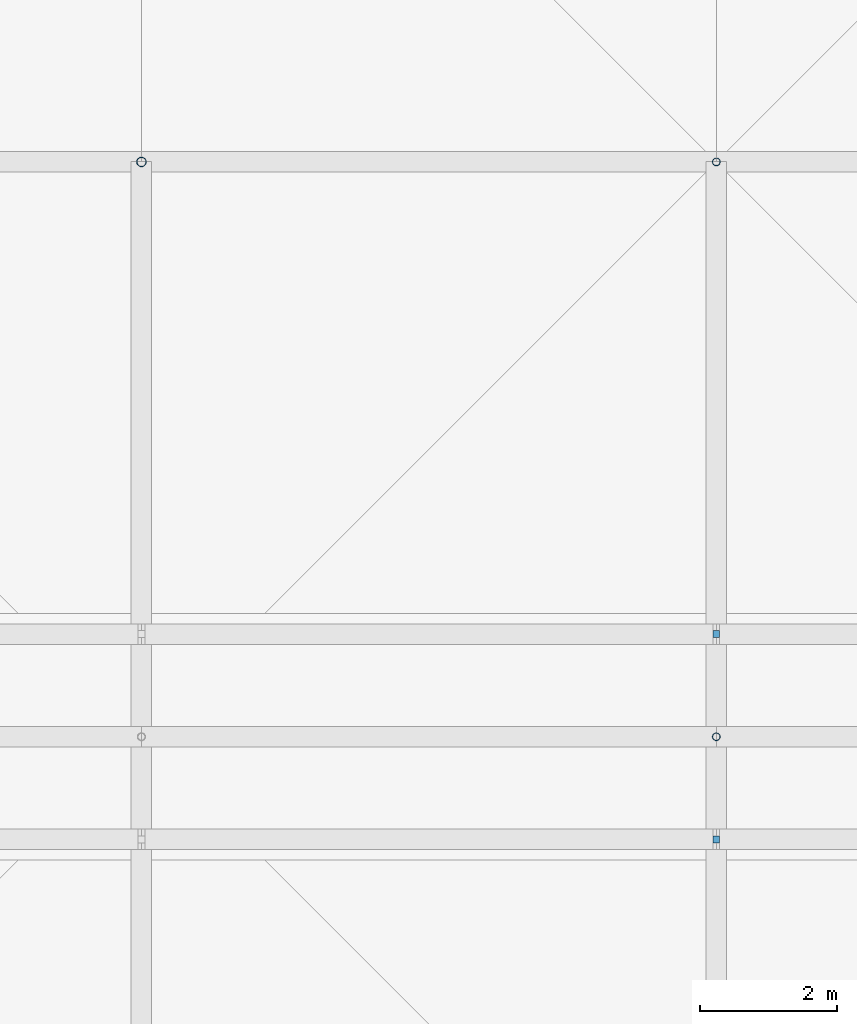
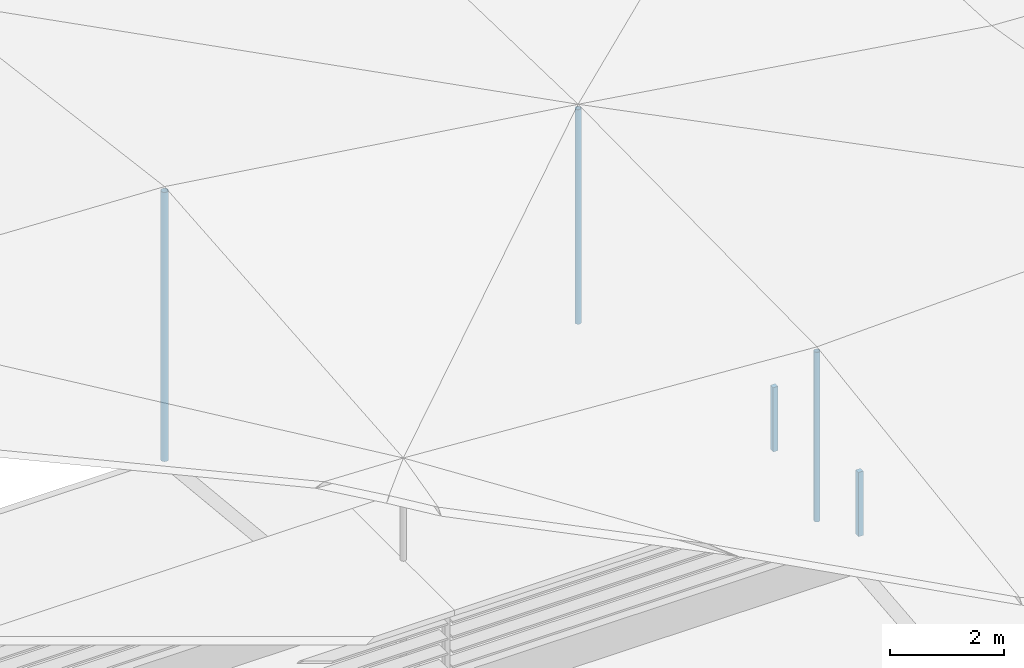
# One storey, part 16 of 46: 5 discrete accessories.
"""IFC4 building model written with IfcOpenShell, lengths in metres."""

from ifc_helpers import new_model, si_unit, direction, frame, origin, origin_2d, place, context, subcontext, project, spatial, rectangle, hollow_circle, extrude, material, layer, layer_set, material_profile, profile_set, type_object, element, save


model = new_model("IFC4")

# Units and contexts
model_context = context("Model", 3, precision=1e-05, world=origin(), true_north=direction((0.0, 1.0)))
body_context = subcontext(model_context, "Body", "Model", "MODEL_VIEW")
ifc_project = project(units=[si_unit("LENGTHUNIT", "METRE"), si_unit("AREAUNIT", "SQUARE_METRE"), si_unit("VOLUMEUNIT", "CUBIC_METRE"), si_unit("PLANEANGLEUNIT", "RADIAN"), si_unit("MASSUNIT", "GRAM", prefix="KILO")], contexts=[model_context])

# Site, building, storey
site_placement = place(None, origin())
site = spatial("IfcSite", under=ifc_project, at=site_placement, CompositionType="ELEMENT")
building_placement = place(site_placement, origin())
building = spatial("IfcBuilding", under=site, at=building_placement, Name="Rain Tree Exposition and Congress Centre", CompositionType="ELEMENT")
storey_placement = place(building_placement, frame((0.0, 0.0, 27.0)))
storey = spatial("IfcBuildingStorey", under=building, at=storey_placement, Name="ROOF VAULT CREST", CompositionType="ELEMENT", Elevation=27.0)

# Discrete accessories
ifc_material_1 = material(Name="Steel S355J2", Category="steel")
ifc_layer = layer(ifc_material_1, 0.10009765625)
ifc_layer_set = layer_set([ifc_layer], Name="Steel S355J2")
discrete_accessory_type_1 = type_object("IfcDiscreteAccessoryType", Name="Ridge lantern post 100", PredefinedType="BRACKET", material=ifc_layer_set)
for number, where, z_axis, x_axis, name in (
    (1, (193.199951171875, 124.5, 2.0), (0.0, 0.0, 1.0), (1.0, 0.0, 0.0), "Lantern post S6"),
    (2, (193.199951171875, 127.5, 2.0), (0.0, 0.0, 1.0), (1.0, 0.0, 0.0), "Lantern post N6"),
):
    element("IfcDiscreteAccessory", number, at=place(storey_placement, frame(where, z_axis=z_axis, x_axis=x_axis)), inside=storey, type_object=discrete_accessory_type_1, Name=name, PredefinedType="BRACKET", context=body_context, shape_type="SweptSolid", body=[
        extrude(rectangle(XDim=0.10009765625, YDim=0.10009765625, at=origin_2d()), origin(), (0.0, 0.0, 1.0), 1.3798828125),
    ])
ifc_material_2 = material(Name="Steel S355J2H", Category="steel")
ifc_material_profile_1 = material_profile(ifc_material_2, hollow_circle(Radius=0.05712890625, WallThickness=0.00439453125, at=origin_2d()), Name="CHS 114x4.5")
ifc_profile_set_1 = profile_set([ifc_material_profile_1], Name="Steel S355J2H")
discrete_accessory_type_2 = type_object("IfcDiscreteAccessoryType", Name="Roof skin post CHS 114x4.5", PredefinedType="BRACKET", material=ifc_profile_set_1)
discrete_accessory_1_placement = place(storey_placement, frame((193.199951171875, 126.0, 1.39990234375), z_axis=(0.0, 0.0, 1.0), x_axis=(1.0, 0.0, 0.0)))
element("IfcDiscreteAccessory", 3, at=discrete_accessory_1_placement, inside=storey, type_object=discrete_accessory_type_2, Name="Roof skin post B46", PredefinedType="BRACKET", context=body_context, shape_type="SweptSolid", body=[
    extrude(hollow_circle(Radius=0.05712890625, WallThickness=0.00439453125, at=origin_2d()), origin(), (0.0, 0.0, 1.0), 3.64306640625),
])
discrete_accessory_2_placement = place(storey_placement, frame((193.199951171875, 134.39990234375, 0.551025390625), z_axis=(0.0, 0.0, 1.0), x_axis=(1.0, 0.0, 0.0)))
element("IfcDiscreteAccessory", 4, at=discrete_accessory_2_placement, inside=storey, type_object=discrete_accessory_type_2, Name="Roof skin post B59", PredefinedType="BRACKET", context=body_context, shape_type="SweptSolid", body=[
    extrude(hollow_circle(Radius=0.05712890625, WallThickness=0.00439453125, at=origin_2d()), origin(), (0.0, 0.0, 1.0), 4.606689453125),
])
ifc_material_3 = material(Name="Steel S355J2H", Category="steel")
ifc_material_profile_2 = material_profile(ifc_material_3, hollow_circle(Radius=0.06982421875, WallThickness=0.0048828125, at=origin_2d()), Name="CHS 140x5")
ifc_profile_set_2 = profile_set([ifc_material_profile_2], Name="Steel S355J2H")
discrete_accessory_type_3 = type_object("IfcDiscreteAccessoryType", Name="Roof skin post CHS 140x5", PredefinedType="BRACKET", material=ifc_profile_set_2)
discrete_accessory_3_placement = place(storey_placement, frame((184.800048828125, 134.39990234375, 0.551025390625), z_axis=(0.0, 0.0, 1.0), x_axis=(1.0, 0.0, 0.0)))
element("IfcDiscreteAccessory", 5, at=discrete_accessory_3_placement, inside=storey, type_object=discrete_accessory_type_3, Name="Roof skin post B58", PredefinedType="BRACKET", context=body_context, shape_type="SweptSolid", body=[
    extrude(hollow_circle(Radius=0.06982421875, WallThickness=0.0048828125, at=origin_2d()), origin(), (0.0, 0.0, 1.0), 5.7802734375),
])

save(model, "model.ifc")
